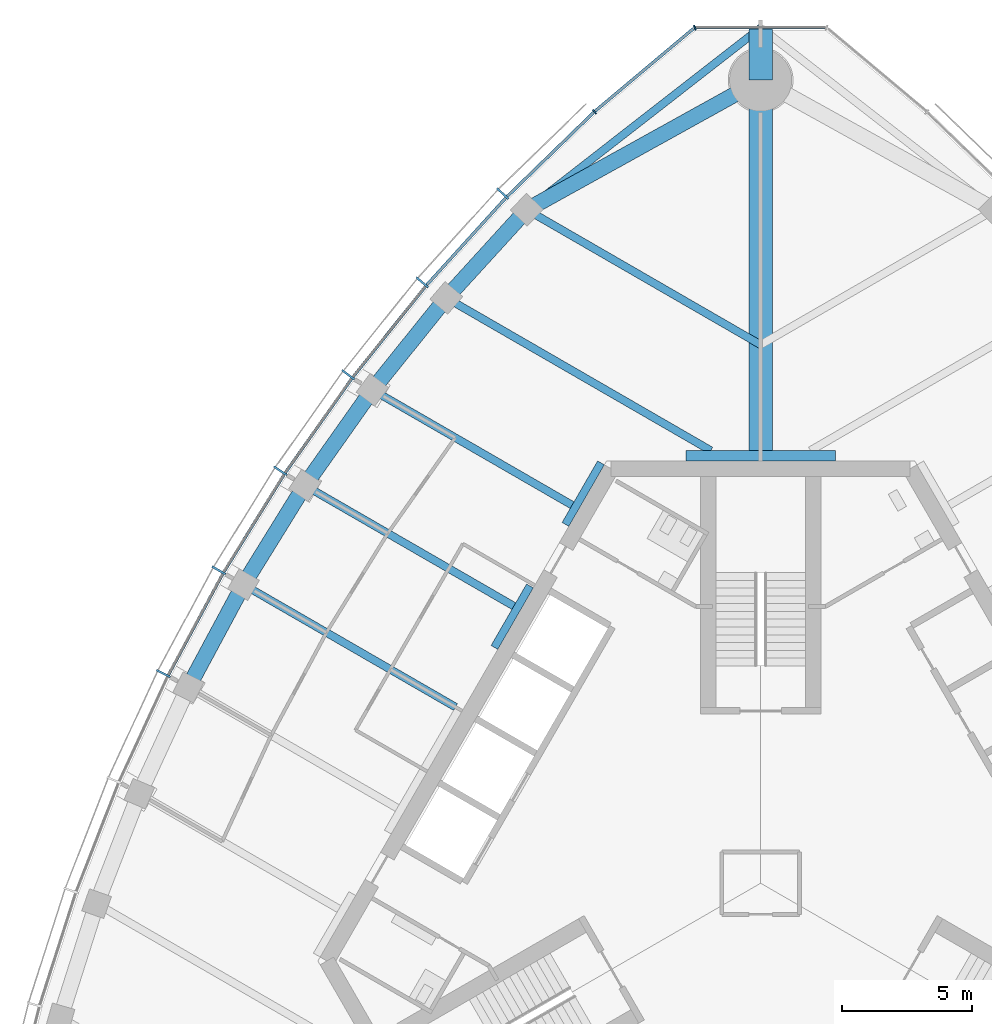
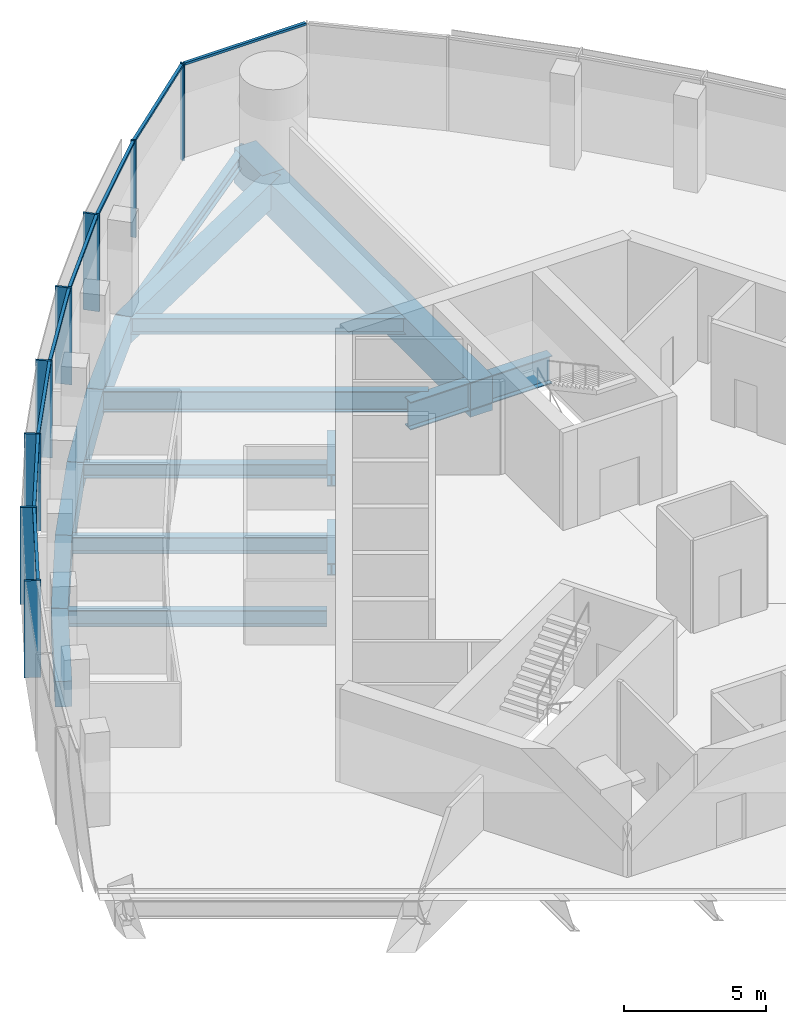
# One storey, part 5 of 16: 18 beams, 16 members, 2 elements without a shape of their own.
"""IFC4 building model written with IfcOpenShell, lengths in metres."""

from ifc_helpers import new_model, si_unit, direction, frame, origin, origin_2d, place, context, subcontext, project, spatial, rectangle, i_section, extrude, material, material_profile, profile_set, type_object, element, aggregate, save


model = new_model("IFC4")

# Units and contexts
model_context = context("Model", 3, precision=1e-05, world=origin(), true_north=direction((0.0, 1.0)))
body_context = subcontext(model_context, "Body", "Model", "MODEL_VIEW")
ifc_project = project(units=[si_unit("LENGTHUNIT", "METRE"), si_unit("AREAUNIT", "SQUARE_METRE"), si_unit("VOLUMEUNIT", "CUBIC_METRE"), si_unit("PLANEANGLEUNIT", "RADIAN"), si_unit("MASSUNIT", "GRAM", prefix="KILO")], contexts=[model_context])

# Site, building, storey
site_placement = place(None, origin())
site = spatial("IfcSite", under=ifc_project, at=site_placement, CompositionType="ELEMENT")
building_placement = place(site_placement, origin())
building = spatial("IfcBuilding", under=site, at=building_placement, Name="Trefoil Bronze Tower", CompositionType="ELEMENT")
storey_placement = place(building_placement, frame((0.0, 0.0, 305.699951171875)))
storey = spatial("IfcBuildingStorey", under=building, at=storey_placement, Name="L70", CompositionType="ELEMENT", Elevation=305.699951171875)

# Curtain wall, members
ifc_material_1 = material(Name="Tinted solar-control glass", Category="glass")
curtain_wall_type_1 = type_object("IfcCurtainWallType", Name="Bronze office curtain wall", PredefinedType="USERDEFINED", material=ifc_material_1)
curtain_wall_1_placement = place(storey_placement, origin())
curtain_wall_1 = element("IfcCurtainWall", 1, at=curtain_wall_1_placement, inside=storey, type_object=curtain_wall_type_1, Name="CW-A L70 F3", ObjectType="CURTAIN WALL", PredefinedType="USERDEFINED")
ifc_material_2 = material(Name="Bronze-finish aluminium", Category="aluminium")
ifc_material_profile_1 = material_profile(ifc_material_2, rectangle(XDim=0.60009765625, YDim=0.080078125, at=origin_2d()), Name="CW-A mullion")
ifc_profile_set_1 = profile_set([ifc_material_profile_1], Name="Bronze-finish aluminium")
member_type_1 = type_object("IfcMemberType", Name="Bronze office curtain wall mullion", PredefinedType="MULLION", material=ifc_profile_set_1)
member_1_placement = place(storey_placement, frame((-9.957275390625, 26.617431640625, 0.0), z_axis=(0.0, 0.0, 1.0), x_axis=(0.719001349715, -0.695008675564, 0.0)))
member_1 = element("IfcMember", 2, at=member_1_placement, type_object=member_type_1, Name="CW-A L70 F3 mullion 2", PredefinedType="MULLION", context=body_context, shape_type="SweptSolid", body=[
    extrude(rectangle(XDim=0.60009765625, YDim=0.080078125, at=origin_2d()), origin(), (0.0, 0.0, 1.0), 4.179931640625),
])
member_2_placement = place(storey_placement, frame((-13.064453125, 23.194091796875, 0.0), z_axis=(0.0, 0.0, 1.0), x_axis=(0.760781190165, -0.649008459646, 0.0)))
member_2 = element("IfcMember", 3, at=member_2_placement, type_object=member_type_1, Name="CW-A L70 F3 mullion 3", PredefinedType="MULLION", context=body_context, shape_type="SweptSolid", body=[
    extrude(rectangle(XDim=0.60009765625, YDim=0.080078125, at=origin_2d()), origin(), (0.0, 0.0, 1.0), 4.179931640625),
])
member_3_placement = place(storey_placement, frame((-15.922607421875, 19.627197265625, 0.0), z_axis=(0.0, 0.0, 1.0), x_axis=(0.799096076136, -0.601203344222, 0.0)))
member_3 = element("IfcMember", 4, at=member_3_placement, type_object=member_type_1, Name="CW-A L70 F3 mullion 4", PredefinedType="MULLION", context=body_context, shape_type="SweptSolid", body=[
    extrude(rectangle(XDim=0.60009765625, YDim=0.080078125, at=origin_2d()), origin(), (0.0, 0.0, 1.0), 4.179931640625),
])
member_4_placement = place(storey_placement, frame((-18.538330078125, 15.920166015625, 0.0), z_axis=(0.0, 0.0, 1.0), x_axis=(0.834159158089, -0.551523797289, 0.0)))
member_4 = element("IfcMember", 5, at=member_4_placement, type_object=member_type_1, Name="CW-A L70 F3 mullion 5", PredefinedType="MULLION", context=body_context, shape_type="SweptSolid", body=[
    extrude(rectangle(XDim=0.60009765625, YDim=0.080078125, at=origin_2d()), origin(), (0.0, 0.0, 1.0), 4.179931640625),
])
member_5_placement = place(storey_placement, frame((-20.916015625, 12.07568359375, 0.0), z_axis=(0.0, 0.0, 1.0), x_axis=(0.866025403784, -0.5, 0.0)))
member_5 = element("IfcMember", 6, at=member_5_placement, type_object=member_type_1, Name="CW-A L70 F3 mullion 6", PredefinedType="MULLION", context=body_context, shape_type="SweptSolid", body=[
    extrude(rectangle(XDim=0.60009765625, YDim=0.080078125, at=origin_2d()), origin(), (0.0, 0.0, 1.0), 4.179931640625),
])
member_6_placement = place(storey_placement, frame((-23.056396484375, 8.094482421875, 0.0), z_axis=(0.0, 0.0, 1.0), x_axis=(0.894713198289, -0.44664112306, 0.0)))
member_6 = element("IfcMember", 7, at=member_6_placement, type_object=member_type_1, Name="CW-A L70 F3 mullion 7", PredefinedType="MULLION", context=body_context, shape_type="SweptSolid", body=[
    extrude(rectangle(XDim=0.60009765625, YDim=0.080078125, at=origin_2d()), origin(), (0.0, 0.0, 1.0), 4.179931640625),
])
ifc_material_3 = material(Name="Bronze-finish aluminium", Category="aluminium")
ifc_material_profile_2 = material_profile(ifc_material_3, rectangle(XDim=0.1201171875, YDim=0.10009765625, at=origin_2d()), Name="CW-A transom")
ifc_profile_set_2 = profile_set([ifc_material_profile_2], Name="Bronze-finish aluminium")
member_type_2 = type_object("IfcMemberType", Name="Bronze office curtain wall transom", PredefinedType="USERDEFINED", material=ifc_profile_set_2)
member_7_placement = place(storey_placement, frame((-6.44921875, 29.7470703125, 4.130126953125), z_axis=(-0.717224617883, -0.696842053484, 0.0), x_axis=(0.696842053484, -0.717224617883, 0.0)))
member_7 = element("IfcMember", 8, at=member_7_placement, type_object=member_type_2, Name="CW-A L70 F3 transom 1", ObjectType="TRANSOM", PredefinedType="USERDEFINED", context=body_context, shape_type="SweptSolid", body=[
    extrude(rectangle(XDim=0.1201171875, YDim=0.10009765625, at=origin_2d()), origin(), (0.0, 0.0, 1.0), 4.6474609375),
])
member_8_placement = place(storey_placement, frame((-9.842529296875, 26.446533203125, 4.130126953125), z_axis=(-0.672068269674, -0.740489190264, 0.0), x_axis=(0.740489190264, -0.672068269674, 0.0)))
member_8 = element("IfcMember", 9, at=member_8_placement, type_object=member_type_2, Name="CW-A L70 F3 transom 2", ObjectType="TRANSOM", PredefinedType="USERDEFINED", context=body_context, shape_type="SweptSolid", body=[
    extrude(rectangle(XDim=0.1201171875, YDim=0.10009765625, at=origin_2d()), origin(), (0.0, 0.0, 1.0), 4.5244140625),
])
member_9_placement = place(storey_placement, frame((-12.939208984375, 23.03076171875, 4.130126953125), z_axis=(-0.625300648488, -0.780383943325, 0.0), x_axis=(0.780383943325, -0.625300648488, 0.0)))
member_9 = element("IfcMember", 10, at=member_9_placement, type_object=member_type_2, Name="CW-A L70 F3 transom 3", ObjectType="TRANSOM", PredefinedType="USERDEFINED", context=body_context, shape_type="SweptSolid", body=[
    extrude(rectangle(XDim=0.1201171875, YDim=0.10009765625, at=origin_2d()), origin(), (0.0, 0.0, 1.0), 4.472412109375),
])
member_10_placement = place(storey_placement, frame((-15.78759765625, 19.4716796875, 4.130126953125), z_axis=(-0.5765665752, -0.817050172488, 0.0), x_axis=(0.817050172488, -0.5765665752, 0.0)))
member_10 = element("IfcMember", 11, at=member_10_placement, type_object=member_type_2, Name="CW-A L70 F3 transom 4", ObjectType="TRANSOM", PredefinedType="USERDEFINED", context=body_context, shape_type="SweptSolid", body=[
    extrude(rectangle(XDim=0.1201171875, YDim=0.10009765625, at=origin_2d()), origin(), (0.0, 0.0, 1.0), 4.4384765625),
])
member_11_placement = place(storey_placement, frame((-18.394287109375, 15.7734375, 4.130126953125), z_axis=(-0.525978235299, -0.850498028212, 0.0), x_axis=(0.850498028212, -0.525978235299, 0.0)))
member_11 = element("IfcMember", 12, at=member_11_placement, type_object=member_type_2, Name="CW-A L70 F3 transom 5", ObjectType="TRANSOM", PredefinedType="USERDEFINED", context=body_context, shape_type="SweptSolid", body=[
    extrude(rectangle(XDim=0.1201171875, YDim=0.10009765625, at=origin_2d()), origin(), (0.0, 0.0, 1.0), 4.422119140625),
])
member_12_placement = place(storey_placement, frame((-20.76318359375, 11.93798828125, 4.130126953125), z_axis=(-0.473540024981, -0.880772300167, 0.0), x_axis=(0.880772300167, -0.473540024981, 0.0)))
member_12 = element("IfcMember", 13, at=member_12_placement, type_object=member_type_2, Name="CW-A L70 F3 transom 6", ObjectType="TRANSOM", PredefinedType="USERDEFINED", context=body_context, shape_type="SweptSolid", body=[
    extrude(rectangle(XDim=0.1201171875, YDim=0.10009765625, at=origin_2d()), origin(), (0.0, 0.0, 1.0), 4.422119140625),
])
aggregate(curtain_wall_1, [member_1, member_2, member_3, member_4, member_5, member_6, member_7, member_8, member_9, member_10, member_11, member_12])

ifc_material_4 = material(Name="Tinted solar-control glass", Category="glass")
curtain_wall_type_2 = type_object("IfcCurtainWallType", Name="Bronze rounded corner curtain wall", PredefinedType="USERDEFINED", material=ifc_material_4)
curtain_wall_2_placement = place(storey_placement, origin())
curtain_wall_2 = element("IfcCurtainWall", 14, at=curtain_wall_2_placement, inside=storey, type_object=curtain_wall_type_2, Name="CW-B L70 K2", ObjectType="CURTAIN WALL", PredefinedType="USERDEFINED")
ifc_material_5 = material(Name="Bronze-finish aluminium", Category="aluminium")
ifc_material_profile_3 = material_profile(ifc_material_5, rectangle(XDim=0.199951171875, YDim=0.06005859375, at=origin_2d()), Name="CW-B mullion")
ifc_profile_set_3 = profile_set([ifc_material_profile_3], Name="Bronze-finish aluminium")
member_type_3 = type_object("IfcMemberType", Name="Bronze rounded corner curtain wall mullion", PredefinedType="MULLION", material=ifc_profile_set_3)
member_13_placement = place(storey_placement, frame((-2.542236328125, 33.021484375, 0.0), z_axis=(0.0, 0.0, 1.0), x_axis=(0.342020143326, -0.939692620786, 0.0)))
member_13 = element("IfcMember", 15, at=member_13_placement, type_object=member_type_3, Name="CW-B L70 K2 mullion 3", PredefinedType="MULLION", context=body_context, shape_type="SweptSolid", body=[
    extrude(rectangle(XDim=0.199951171875, YDim=0.06005859375, at=origin_2d()), origin(), (0.0, 0.0, 1.0), 4.179931640625),
])
member_14_placement = place(storey_placement, frame((-6.4150390625, 29.77978515625, 0.0), z_axis=(0.0, 0.0, 1.0), x_axis=(0.642787609687, -0.766044443119, 0.0)))
member_14 = element("IfcMember", 16, at=member_14_placement, type_object=member_type_3, Name="CW-B L70 K2 mullion 4", PredefinedType="MULLION", context=body_context, shape_type="SweptSolid", body=[
    extrude(rectangle(XDim=0.199951171875, YDim=0.06005859375, at=origin_2d()), origin(), (0.0, 0.0, 1.0), 4.179931640625),
])
ifc_material_6 = material(Name="Bronze-finish aluminium", Category="aluminium")
ifc_material_profile_4 = material_profile(ifc_material_6, rectangle(XDim=0.1201171875, YDim=0.10009765625, at=origin_2d()), Name="CW-B transom")
ifc_profile_set_4 = profile_set([ifc_material_profile_4], Name="Bronze-finish aluminium")
member_type_4 = type_object("IfcMemberType", Name="Bronze rounded corner curtain wall transom", PredefinedType="USERDEFINED", material=ifc_profile_set_4)
member_15_placement = place(storey_placement, frame((2.47802734375, 33.027587890625, 4.130126953125), z_axis=(-1.0, 0.0, 0.0), x_axis=(0.0, -1.0, 0.0)))
member_15 = element("IfcMember", 17, at=member_15_placement, type_object=member_type_4, Name="CW-B L70 K2 transom 2", ObjectType="TRANSOM", PredefinedType="USERDEFINED", context=body_context, shape_type="SweptSolid", body=[
    extrude(rectangle(XDim=0.1201171875, YDim=0.10009765625, at=origin_2d()), origin(), (0.0, 0.0, 1.0), 4.9560546875),
])
member_16_placement = place(storey_placement, frame((-2.595458984375, 32.98486328125, 4.130126953125), z_axis=(-0.766040522511, -0.642792282056, 0.0), x_axis=(0.642792282056, -0.766040522511, 0.0)))
member_16 = element("IfcMember", 18, at=member_16_placement, type_object=member_type_4, Name="CW-B L70 K2 transom 3", ObjectType="TRANSOM", PredefinedType="USERDEFINED", context=body_context, shape_type="SweptSolid", body=[
    extrude(rectangle(XDim=0.1201171875, YDim=0.10009765625, at=origin_2d()), origin(), (0.0, 0.0, 1.0), 4.9560546875),
])
aggregate(curtain_wall_2, [member_13, member_14, member_15, member_16])

# Beams
ifc_material_7 = material(Name="Steel C355", Category="steel")
ifc_material_profile_5 = material_profile(ifc_material_7, i_section(OverallWidth=0.300048828125, OverallDepth=0.5, WebThickness=0.014404296875, FlangeThickness=0.028076171875, FilletRadius=0.027099609375, at=origin_2d()), Name="HEB 500")
ifc_profile_set_5 = profile_set([ifc_material_profile_5], Name="Steel C355")
beam_type_1 = type_object("IfcBeamType", Name="Core seat beam HEB 500", PredefinedType="BEAM", material=ifc_profile_set_5)
for number, where, z_axis, x_axis, name in (
    (19, (-6.163330078125, 16.22509765625, -0.449951171875), (-0.499969057507, -0.866043267704, 0.0), (0.866043267704, -0.499969057507, 0.0), "Core seat beam F3/-2 L70"),
    (20, (-8.905517578125, 11.47509765625, -0.449951171875), (-0.500035825175, -0.866004719122, 0.0), (0.866004719122, -0.500035825175, 0.0), "Core seat beam F3/-1 L70"),
):
    element("IfcBeam", number, at=place(storey_placement, frame(where, z_axis=z_axis, x_axis=x_axis)), inside=storey, type_object=beam_type_1, Name=name, PredefinedType="BEAM", context=body_context, shape_type="SweptSolid", body=[
        extrude(i_section(OverallWidth=0.300048828125, OverallDepth=0.5, WebThickness=0.014404296875, FlangeThickness=0.028076171875, FilletRadius=0.027099609375, at=origin_2d()), origin(), (0.0, 0.0, 1.0), 2.742431640625),
    ])
ifc_material_8 = material(Name="Steel C355", Category="steel")
ifc_material_profile_6 = material_profile(ifc_material_8, i_section(OverallWidth=0.39990234375, OverallDepth=1.199951171875, WebThickness=0.02001953125, FlangeThickness=0.0400390625, FilletRadius=0.010009765625, at=origin_2d()), Name="WPG 1200")
ifc_profile_set_6 = profile_set([ifc_material_profile_6], Name="Steel C355")
beam_type_2 = type_object("IfcBeamType", Name="Core seat beam WPG 1200", PredefinedType="BEAM", material=ifc_profile_set_6)
for number, where, z_axis, x_axis, name in (
    (21, (2.88671875, 16.5, -0.800048828125), (-1.0, 0.0, 0.0), (0.0, -1.0, 0.0), "Core seat beam F2/+3 L70"),
    (22, (0.0, 16.5, -0.800048828125), (-1.0, 0.0, 0.0), (0.0, -1.0, 0.0), "Core seat beam F3/-3 L70"),
):
    element("IfcBeam", number, at=place(storey_placement, frame(where, z_axis=z_axis, x_axis=x_axis)), inside=storey, type_object=beam_type_2, Name=name, PredefinedType="BEAM", context=body_context, shape_type="SweptSolid", body=[
        extrude(i_section(OverallWidth=0.39990234375, OverallDepth=1.199951171875, WebThickness=0.02001953125, FlangeThickness=0.0400390625, FilletRadius=0.010009765625, at=origin_2d()), origin(), (0.0, 0.0, 1.0), 2.88671875),
    ])
ifc_material_9 = material(Name="Concrete B80", Category="concrete")
ifc_material_profile_7 = material_profile(ifc_material_9, rectangle(XDim=0.89990234375, YDim=1.5, at=origin_2d()), Name="RC 900x1500")
ifc_profile_set_7 = profile_set([ifc_material_profile_7], Name="Concrete B80")
beam_type_3 = type_object("IfcBeamType", Name="Corner cantilever RC 900x1500", PredefinedType="BEAM", material=ifc_profile_set_7)
beam_1_placement = place(storey_placement, frame((0.0, 31.0, -0.949951171875), z_axis=(0.0, 1.0, 0.0), x_axis=(-1.0, 0.0, 0.0)))
element("IfcBeam", 23, at=beam_1_placement, inside=storey, type_object=beam_type_3, Name="Corner cantilever K2 L70", PredefinedType="BEAM", context=body_context, shape_type="SweptSolid", body=[
    extrude(rectangle(XDim=0.89990234375, YDim=1.5, at=origin_2d()), origin(), (0.0, 0.0, 1.0), 2.019775390625),
])
ifc_material_10 = material(Name="Steel C355", Category="steel")
ifc_material_profile_8 = material_profile(ifc_material_10, i_section(OverallWidth=0.300048828125, OverallDepth=0.60009765625, WebThickness=0.015380859375, FlangeThickness=0.030029296875, FilletRadius=0.027099609375, at=origin_2d()), Name="HEB 600")
ifc_profile_set_8 = profile_set([ifc_material_profile_8], Name="Steel C355")
beam_type_4 = type_object("IfcBeamType", Name="Corner edge beam HEB 600", PredefinedType="BEAM", material=ifc_profile_set_8)
beam_2_placement = place(storey_placement, frame((-9.02734375, 25.99658203125, -0.5), z_axis=(0.789270604977, 0.614045529354, 0.0), x_axis=(-0.614045529354, 0.789270604977, 0.0)))
element("IfcBeam", 24, at=beam_2_placement, inside=storey, type_object=beam_type_4, Name="Corner edge beam F3B L70", PredefinedType="BEAM", context=body_context, shape_type="SweptSolid", body=[
    extrude(i_section(OverallWidth=0.300048828125, OverallDepth=0.60009765625, WebThickness=0.015380859375, FlangeThickness=0.030029296875, FilletRadius=0.027099609375, at=origin_2d()), origin(), (0.0, 0.0, 1.0), 11.4375),
])
ifc_material_11 = material(Name="Concrete B80", Category="concrete")
ifc_material_profile_9 = material_profile(ifc_material_11, rectangle(XDim=0.89990234375, YDim=1.5, at=origin_2d()), Name="RC 900x1500")
ifc_profile_set_9 = profile_set([ifc_material_profile_9], Name="Concrete B80")
beam_type_5 = type_object("IfcBeamType", Name="Corner girder RC 900x1500", PredefinedType="BEAM", material=ifc_profile_set_9)
beam_3_placement = place(storey_placement, frame((0.0, 16.300048828125, -0.949951171875), z_axis=(0.0, 1.0, 0.0), x_axis=(-1.0, 0.0, 0.0)))
element("IfcBeam", 25, at=beam_3_placement, inside=storey, type_object=beam_type_5, Name="Corner girder K2 L70", PredefinedType="BEAM", context=body_context, shape_type="SweptSolid", body=[
    extrude(rectangle(XDim=0.89990234375, YDim=1.5, at=origin_2d()), origin(), (0.0, 0.0, 1.0), 14.699951171875),
])
ifc_material_12 = material(Name="Concrete B80", Category="concrete")
ifc_material_profile_10 = material_profile(ifc_material_12, rectangle(XDim=0.60009765625, YDim=1.10009765625, at=origin_2d()), Name="RC 600x1100")
ifc_profile_set_10 = profile_set([ifc_material_profile_10], Name="Concrete B80")
beam_type_6 = type_object("IfcBeamType", Name="End spandrel beam RC 600x1100", PredefinedType="SPANDREL", material=ifc_profile_set_10)
beam_4_placement = place(storey_placement, frame((0.0, 31.0, -0.75), z_axis=(-0.874641085074, -0.484771051426, 0.0), x_axis=(0.484771051426, -0.874641085074, 0.0)))
element("IfcBeam", 26, at=beam_4_placement, inside=storey, type_object=beam_type_6, Name="Spandrel F3.1 L70", PredefinedType="SPANDREL", context=body_context, shape_type="SweptSolid", body=[
    extrude(rectangle(XDim=0.60009765625, YDim=1.10009765625, at=origin_2d()), origin(), (0.0, 0.0, 1.0), 10.3212890625),
])
ifc_material_13 = material(Name="Steel C355", Category="steel")
ifc_material_profile_11 = material_profile(ifc_material_13, i_section(OverallWidth=0.300048828125, OverallDepth=0.60009765625, WebThickness=0.015380859375, FlangeThickness=0.030029296875, FilletRadius=0.027099609375, at=origin_2d()), Name="HEB 600")
ifc_profile_set_11 = profile_set([ifc_material_profile_11], Name="Steel C355")
beam_type_7 = type_object("IfcBeamType", Name="Floor beam HEB 600", PredefinedType="BEAM", material=ifc_profile_set_11)
beam_5_placement = place(storey_placement, frame((-14.98486328125, 19.043701171875, -0.5), z_axis=(0.866034827411, -0.499983677445, 0.0), x_axis=(0.499983677445, 0.866034827411, 0.0)))
element("IfcBeam", 27, at=beam_5_placement, inside=storey, type_object=beam_type_7, Name="Floor beam F3/-2 L70", PredefinedType="BEAM", context=body_context, shape_type="SweptSolid", body=[
    extrude(i_section(OverallWidth=0.300048828125, OverallDepth=0.60009765625, WebThickness=0.015380859375, FlangeThickness=0.030029296875, FilletRadius=0.027099609375, at=origin_2d()), origin(), (0.0, 0.0, 1.0), 8.899169921875),
])
ifc_material_14 = material(Name="Steel C355", Category="steel")
ifc_material_profile_12 = material_profile(ifc_material_14, i_section(OverallWidth=0.300048828125, OverallDepth=0.699951171875, WebThickness=0.01708984375, FlangeThickness=0.031982421875, FilletRadius=0.027099609375, at=origin_2d()), Name="HEB 700")
ifc_profile_set_12 = profile_set([ifc_material_profile_12], Name="Steel C355")
beam_type_8 = type_object("IfcBeamType", Name="Floor beam HEB 700", PredefinedType="BEAM", material=ifc_profile_set_12)
beam_6_placement = place(storey_placement, frame((-9.02734375, 25.99658203125, -0.550048828125), z_axis=(0.866026453994, -0.499998180979, 0.0), x_axis=(0.499998180979, 0.866026453994, 0.0)))
element("IfcBeam", 28, at=beam_6_placement, inside=storey, type_object=beam_type_8, Name="Floor beam F3/-4 L70", PredefinedType="BEAM", context=body_context, shape_type="SweptSolid", body=[
    extrude(i_section(OverallWidth=0.300048828125, OverallDepth=0.699951171875, WebThickness=0.01708984375, FlangeThickness=0.031982421875, FilletRadius=0.027099609375, at=origin_2d()), origin(), (0.0, 0.0, 1.0), 10.423828125),
])
beam_7_placement = place(storey_placement, frame((-17.593994140625, 15.35400390625, -0.550048828125), z_axis=(0.866026261222, -0.499998514871, 0.0), x_axis=(0.499998514871, 0.866026261222, 0.0)))
element("IfcBeam", 29, at=beam_7_placement, inside=storey, type_object=beam_type_8, Name="Floor beam F3/-1 L70", PredefinedType="BEAM", context=body_context, shape_type="SweptSolid", body=[
    extrude(i_section(OverallWidth=0.300048828125, OverallDepth=0.699951171875, WebThickness=0.01708984375, FlangeThickness=0.031982421875, FilletRadius=0.027099609375, at=origin_2d()), origin(), (0.0, 0.0, 1.0), 9.31396484375),
])
beam_8_placement = place(storey_placement, frame((-19.96337890625, 11.52587890625, -0.550048828125), z_axis=(0.866029875693, -0.499992254348, 0.0), x_axis=(0.499992254348, 0.866029875693, 0.0)))
element("IfcBeam", 30, at=beam_8_placement, inside=storey, type_object=beam_type_8, Name="Floor beam F3/+0 L70", PredefinedType="BEAM", context=body_context, shape_type="SweptSolid", body=[
    extrude(i_section(OverallWidth=0.300048828125, OverallDepth=0.699951171875, WebThickness=0.01708984375, FlangeThickness=0.031982421875, FilletRadius=0.027099609375, at=origin_2d()), origin(), (0.0, 0.0, 1.0), 9.451904296875),
])
ifc_material_15 = material(Name="Steel C355", Category="steel")
ifc_material_profile_13 = material_profile(ifc_material_15, i_section(OverallWidth=0.300048828125, OverallDepth=0.89990234375, WebThickness=0.0185546875, FlangeThickness=0.034912109375, FilletRadius=0.030029296875, at=origin_2d()), Name="HEB 900")
ifc_profile_set_13 = profile_set([ifc_material_profile_13], Name="Steel C355")
beam_type_9 = type_object("IfcBeamType", Name="Floor beam HEB 900", PredefinedType="BEAM", material=ifc_profile_set_13)
beam_9_placement = place(storey_placement, frame((-12.131591796875, 22.5927734375, -0.64990234375), z_axis=(0.866017581749, -0.500013547917, 0.0), x_axis=(0.500013547917, 0.866017581749, 0.0)))
element("IfcBeam", 31, at=beam_9_placement, inside=storey, type_object=beam_type_9, Name="Floor beam F3/-3 L70", PredefinedType="BEAM", context=body_context, shape_type="SweptSolid", body=[
    extrude(i_section(OverallWidth=0.300048828125, OverallDepth=0.89990234375, WebThickness=0.0185546875, FlangeThickness=0.034912109375, FilletRadius=0.030029296875, at=origin_2d()), origin(), (0.0, 0.0, 1.0), 11.785400390625),
])
ifc_material_16 = material(Name="Concrete B80", Category="concrete")
ifc_material_profile_14 = material_profile(ifc_material_16, rectangle(XDim=0.60009765625, YDim=1.10009765625, at=origin_2d()), Name="RC 600x1100")
ifc_profile_set_14 = profile_set([ifc_material_profile_14], Name="Concrete B80")
beam_type_10 = type_object("IfcBeamType", Name="Spandrel beam RC 600x1100", PredefinedType="SPANDREL", material=ifc_profile_set_14)
beam_10_placement = place(storey_placement, frame((-9.02734375, 25.99658203125, -0.75), z_axis=(-0.673845775847, -0.738872025707, 0.0), x_axis=(0.738872025707, -0.673845775847, 0.0)))
element("IfcBeam", 32, at=beam_10_placement, inside=storey, type_object=beam_type_10, Name="Spandrel F3.2 L70", PredefinedType="SPANDREL", context=body_context, shape_type="SweptSolid", body=[
    extrude(rectangle(XDim=0.60009765625, YDim=1.10009765625, at=origin_2d()), origin(), (0.0, 0.0, 1.0), 4.606689453125),
])
beam_11_placement = place(storey_placement, frame((-12.131591796875, 22.5927734375, -0.75), z_axis=(-0.626569682592, -0.779365403939, 0.0), x_axis=(0.779365403939, -0.626569682592, 0.0)))
element("IfcBeam", 33, at=beam_11_placement, inside=storey, type_object=beam_type_10, Name="Spandrel F3.3 L70", PredefinedType="SPANDREL", context=body_context, shape_type="SweptSolid", body=[
    extrude(rectangle(XDim=0.60009765625, YDim=1.10009765625, at=origin_2d()), origin(), (0.0, 0.0, 1.0), 4.5537109375),
])
beam_12_placement = place(storey_placement, frame((-14.98486328125, 19.043701171875, -0.75), z_axis=(-0.577368105169, -0.816483968693, 0.0), x_axis=(0.816483968693, -0.577368105169, 0.0)))
element("IfcBeam", 34, at=beam_12_placement, inside=storey, type_object=beam_type_10, Name="Spandrel F3.4 L70", PredefinedType="SPANDREL", context=body_context, shape_type="SweptSolid", body=[
    extrude(rectangle(XDim=0.60009765625, YDim=1.10009765625, at=origin_2d()), origin(), (0.0, 0.0, 1.0), 4.51904296875),
])
beam_13_placement = place(storey_placement, frame((-17.593994140625, 15.35400390625, -0.75), z_axis=(-0.526289271956, -0.850305593433, 0.0), x_axis=(0.850305593433, -0.526289271956, 0.0)))
element("IfcBeam", 35, at=beam_13_placement, inside=storey, type_object=beam_type_10, Name="Spandrel F3.5 L70", PredefinedType="SPANDREL", context=body_context, shape_type="SweptSolid", body=[
    extrude(rectangle(XDim=0.60009765625, YDim=1.10009765625, at=origin_2d()), origin(), (0.0, 0.0, 1.0), 4.501953125),
])
beam_14_placement = place(storey_placement, frame((-19.96337890625, 11.52587890625, -0.75), z_axis=(-0.473245885676, -0.880930378458, 0.0), x_axis=(0.880930378458, -0.473245885676, 0.0)))
element("IfcBeam", 36, at=beam_14_placement, inside=storey, type_object=beam_type_10, Name="Spandrel F3.6 L70", PredefinedType="SPANDREL", context=body_context, shape_type="SweptSolid", body=[
    extrude(rectangle(XDim=0.60009765625, YDim=1.10009765625, at=origin_2d()), origin(), (0.0, 0.0, 1.0), 4.502197265625),
])

save(model, "model.ifc")
